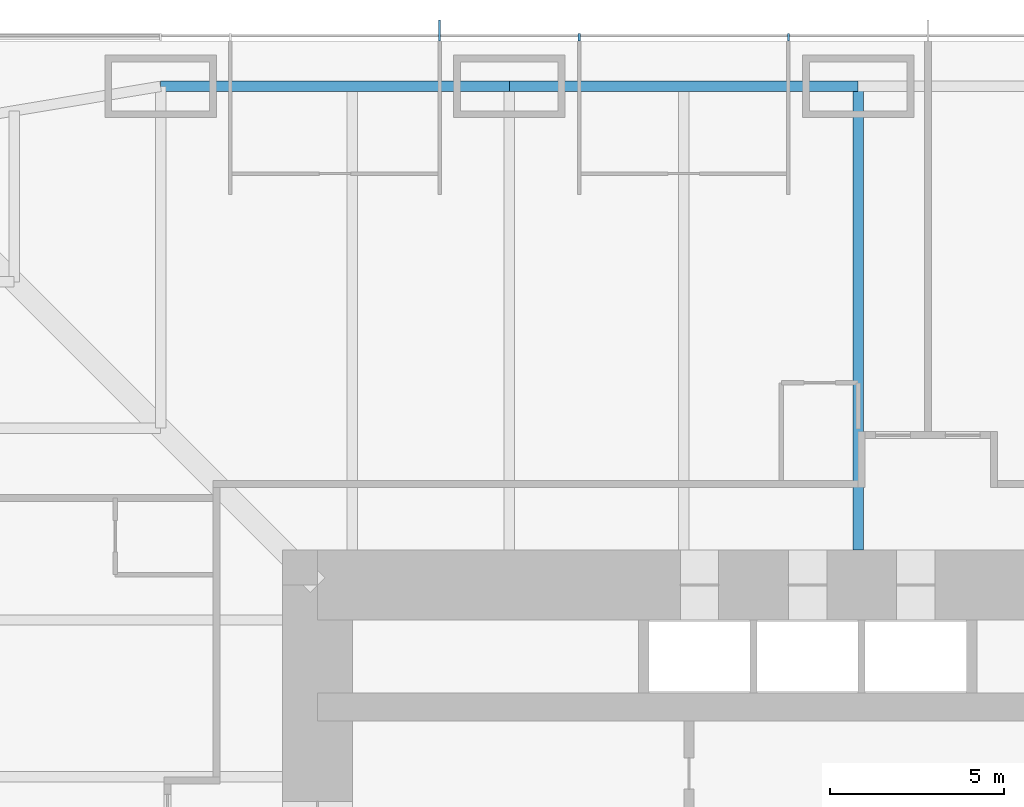
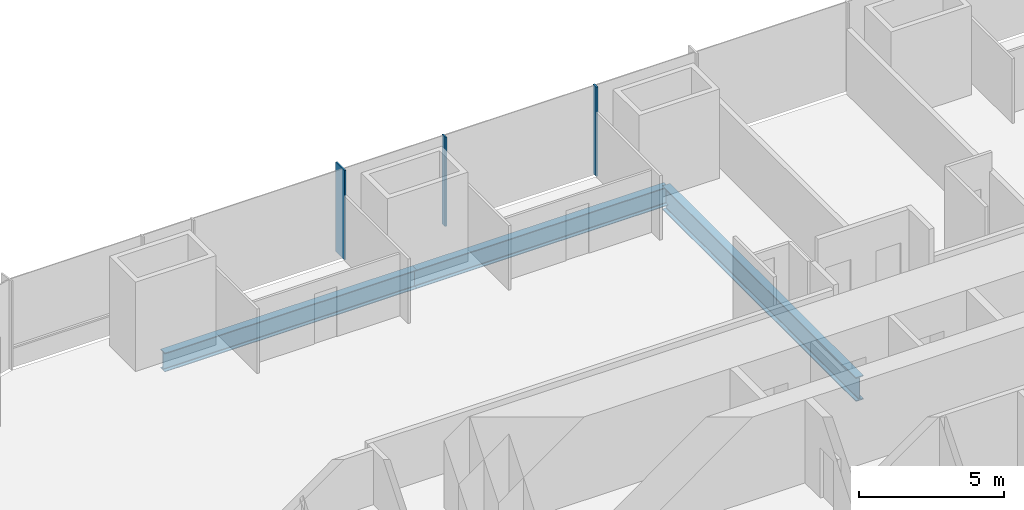
# One storey, part 7 of 16: 3 beams, 3 members, 1 element without a shape of its own.
"""IFC4 building model written with IfcOpenShell, lengths in metres."""

from ifc_helpers import new_model, si_unit, direction, frame, origin, origin_2d, place, context, subcontext, project, spatial, rectangle, i_section, extrude, material, material_profile, profile_set, type_object, element, aggregate, save


model = new_model("IFC4")

# Units and contexts
model_context = context("Model", 3, precision=1e-05, world=origin(), true_north=direction((0.0, 1.0)))
body_context = subcontext(model_context, "Body", "Model", "MODEL_VIEW")
ifc_project = project(units=[si_unit("LENGTHUNIT", "METRE"), si_unit("AREAUNIT", "SQUARE_METRE"), si_unit("VOLUMEUNIT", "CUBIC_METRE"), si_unit("PLANEANGLEUNIT", "RADIAN"), si_unit("MASSUNIT", "GRAM", prefix="KILO")], contexts=[model_context])

# Site, building, storey
site_placement = place(None, origin())
site = spatial("IfcSite", under=ifc_project, at=site_placement, CompositionType="ELEMENT")
building_placement = place(site_placement, origin())
building = spatial("IfcBuilding", under=site, at=building_placement, Name="Khuree Lantern Residences", CompositionType="ELEMENT")
storey_placement = place(building_placement, frame((0.0, 0.0, 81.0)))
storey = spatial("IfcBuildingStorey", under=building, at=storey_placement, Name="L20", CompositionType="ELEMENT", Elevation=81.0)

# Beams
ifc_material_1 = material(Name="Steel S355", Category="steel")
ifc_material_profile_1 = material_profile(ifc_material_1, i_section(OverallWidth=0.300048828125, OverallDepth=0.7900390625, WebThickness=0.014892578125, FlangeThickness=0.028076171875, FilletRadius=0.030029296875, at=origin_2d()), Name="HE 800 A")
ifc_profile_set_1 = profile_set([ifc_material_profile_1], Name="Steel S355")
beam_type_1 = type_object("IfcBeamType", Name="E-14 SPANDREL BEAM HE 800 A", PredefinedType="SPANDREL", material=ifc_profile_set_1)
for number, where, z_axis, x_axis, name in (
    (1, (-20.0, 29.800048828125, -0.64501953125), (1.0, 0.0, 0.0), (0.0, 1.0, 0.0), "Spandrel beam N1"),
    (2, (-10.0, 29.800048828125, -0.64501953125), (1.0, 0.0, 0.0), (0.0, 1.0, 0.0), "Spandrel beam N2"),
):
    element("IfcBeam", number, at=place(storey_placement, frame(where, z_axis=z_axis, x_axis=x_axis)), inside=storey, type_object=beam_type_1, Name=name, PredefinedType="SPANDREL", context=body_context, shape_type="SweptSolid", body=[
        extrude(i_section(OverallWidth=0.300048828125, OverallDepth=0.7900390625, WebThickness=0.014892578125, FlangeThickness=0.028076171875, FilletRadius=0.030029296875, at=origin_2d()), origin(), (0.0, 0.0, 1.0), 10.0),
    ])

# Curtain wall, member
ifc_material_2 = material(Name="Bronze anodised aluminium", Category="aluminium")
curtain_wall_type = type_object("IfcCurtainWallType", Name="CW-T1 TOWER FACE CURTAIN WALL", PredefinedType="USERDEFINED", material=ifc_material_2)
curtain_wall_placement = place(storey_placement, origin())
curtain_wall = element("IfcCurtainWall", 3, at=curtain_wall_placement, inside=storey, type_object=curtain_wall_type, Name="L20 NORTH FACE CURTAIN WALL", ObjectType="Stick-built curtain wall", PredefinedType="USERDEFINED")
ifc_material_profile_2 = material_profile(ifc_material_2, rectangle(XDim=0.06494140625, YDim=0.60009765625, at=origin_2d()), Name="F1 65X600")
ifc_profile_set_2 = profile_set([ifc_material_profile_2], Name="Bronze anodised aluminium")
member_type_1 = type_object("IfcMemberType", Name="F1 BRONZE FIN MULLION TOWER 65X600", PredefinedType="MULLION", material=ifc_profile_set_2)
member_1_placement = place(storey_placement, frame((-12.0, 31.39990234375, 0.0), z_axis=(0.0, 0.0, 1.0), x_axis=(-1.0, 0.0, 0.0)))
member_1 = element("IfcMember", 4, at=member_1_placement, type_object=member_type_1, Name="L20 NORTH FACE FIN MULLION 26", PredefinedType="MULLION", context=body_context, shape_type="SweptSolid", body=[
    extrude(rectangle(XDim=0.06494140625, YDim=0.60009765625, at=origin_2d()), origin(), (0.0, 0.0, 1.0), 3.75),
])

# Beam
ifc_material_profile_3 = material_profile(ifc_material_1, i_section(OverallWidth=0.302001953125, OverallDepth=1.008056640625, WebThickness=0.02099609375, FlangeThickness=0.0400390625, FilletRadius=0.030029296875, at=origin_2d()), Name="HE 1000 M")
ifc_profile_set_3 = profile_set([ifc_material_profile_3], Name="Steel S355")
beam_type_2 = type_object("IfcBeamType", Name="G-14 GIRDER HE 1000 M", PredefinedType="BEAM", material=ifc_profile_set_3)
beam_placement = place(storey_placement, frame((0.0, 29.800048828125, -0.75390625), z_axis=(0.0, -1.0, 0.0), x_axis=(1.0, 0.0, 0.0)))
element("IfcBeam", 5, at=beam_placement, inside=storey, type_object=beam_type_2, Name="Girder N3", PredefinedType="BEAM", context=body_context, shape_type="SweptSolid", body=[
    extrude(i_section(OverallWidth=0.302001953125, OverallDepth=1.008056640625, WebThickness=0.02099609375, FlangeThickness=0.0400390625, FilletRadius=0.030029296875, at=origin_2d()), origin(), (0.0, 0.0, 1.0), 13.300048828125),
])

# Member
ifc_material_profile_4 = material_profile(ifc_material_2, rectangle(XDim=0.06494140625, YDim=0.219970703125, at=origin_2d()), Name="M1 65X220")
ifc_profile_set_4 = profile_set([ifc_material_profile_4], Name="Bronze anodised aluminium")
member_type_2 = type_object("IfcMemberType", Name="M1 BRONZE MULLION TOWER 65X220", PredefinedType="MULLION", material=ifc_profile_set_4)
member_2_placement = place(storey_placement, frame((-2.0, 31.2099609375, 0.0), z_axis=(0.0, 0.0, 1.0), x_axis=(-1.0, 0.0, 0.0)))
member_2 = element("IfcMember", 6, at=member_2_placement, type_object=member_type_2, Name="L20 NORTH FACE MULLION 24", PredefinedType="MULLION", context=body_context, shape_type="SweptSolid", body=[
    extrude(rectangle(XDim=0.06494140625, YDim=0.219970703125, at=origin_2d()), origin(), (0.0, 0.0, 1.0), 3.75),
])

member_3_placement = place(storey_placement, frame((-8.0, 31.2099609375, 0.0), z_axis=(0.0, 0.0, 1.0), x_axis=(-1.0, 0.0, 0.0)))
member_3 = element("IfcMember", 7, at=member_3_placement, type_object=member_type_2, Name="L20 NORTH FACE MULLION 25", PredefinedType="MULLION", context=body_context, shape_type="SweptSolid", body=[
    extrude(rectangle(XDim=0.06494140625, YDim=0.219970703125, at=origin_2d()), origin(), (0.0, 0.0, 1.0), 3.75),
])

aggregate(curtain_wall, [member_2, member_3, member_1])

save(model, "model.ifc")
